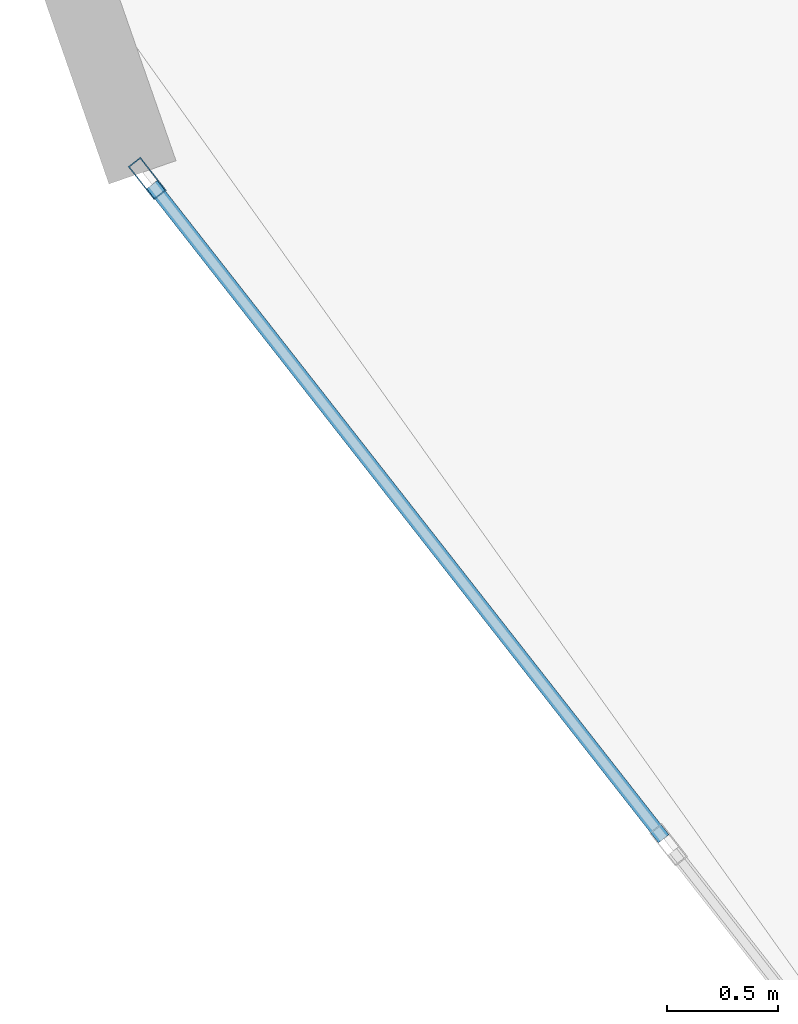
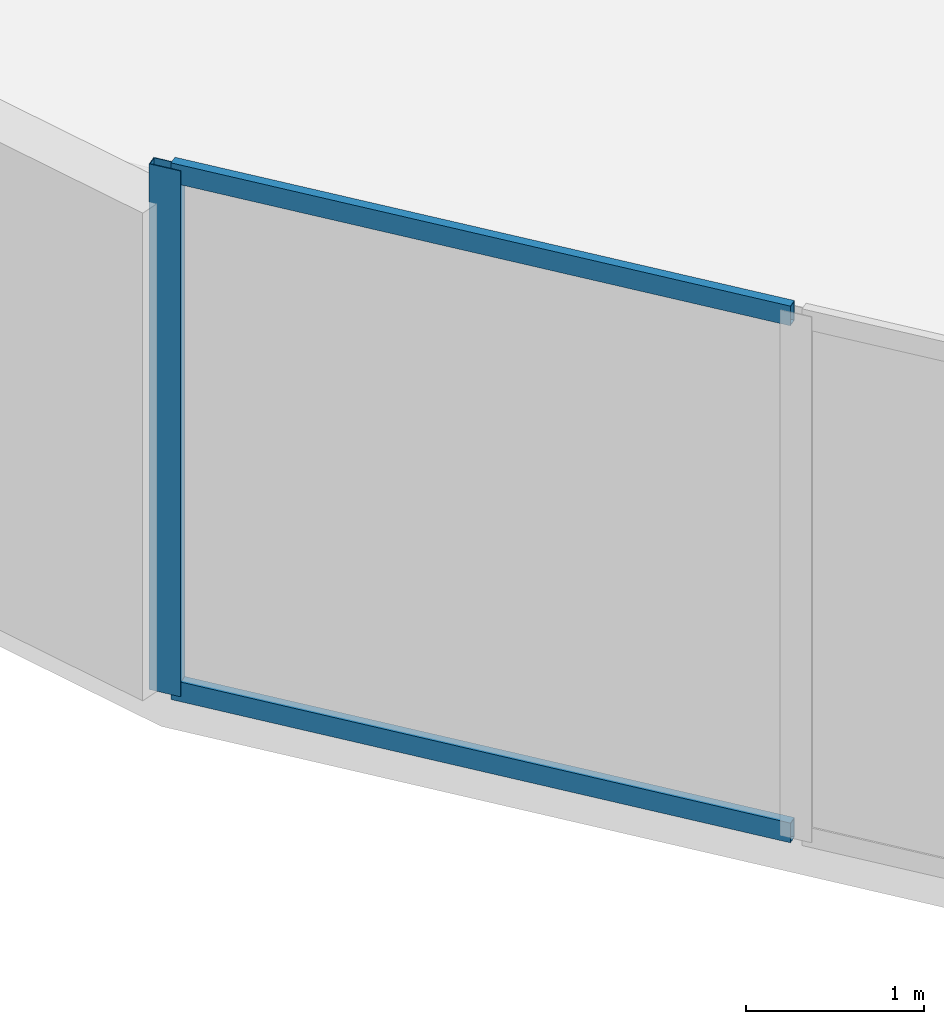
# One storey, part 3 of 22: 3 members, 1 element without a shape of its own.
"""IFC4 building model written with IfcOpenShell, lengths in metres."""

from ifc_helpers import new_model, si_unit, direction, frame, origin, origin_2d, place, context, subcontext, project, spatial, hollow_rectangle, extrude, source, transform, mapped, material, layer, layer_set, material_profile, profile_set, type_object, element, aggregate, save


model = new_model("IFC4")

# Units and contexts
model_context = context("Model", 3, precision=1e-05, world=origin(), true_north=direction((0.0, 1.0)))
body_context = subcontext(model_context, "Body", "Model", "MODEL_VIEW")
ifc_project = project(units=[si_unit("LENGTHUNIT", "METRE"), si_unit("AREAUNIT", "SQUARE_METRE"), si_unit("VOLUMEUNIT", "CUBIC_METRE"), si_unit("PLANEANGLEUNIT", "RADIAN"), si_unit("MASSUNIT", "GRAM", prefix="KILO")], contexts=[model_context])

# Site, building, storey
site_placement = place(None, origin())
site = spatial("IfcSite", under=ifc_project, at=site_placement, CompositionType="ELEMENT")
building_placement = place(site_placement, origin())
building = spatial("IfcBuilding", under=site, at=building_placement, Name="Solvirekh Grand Hotel", CompositionType="ELEMENT")
storey_placement = place(building_placement, frame((0.0, 0.0, 53.60009765625)))
storey = spatial("IfcBuildingStorey", under=building, at=storey_placement, Name="L12", CompositionType="ELEMENT", Elevation=53.60009765625)

# Curtain wall, members
ifc_material = material(Name="Anodized Bronze Aluminium 6063-T6", Category="aluminium")
ifc_layer = layer(ifc_material, 0.18994140625)
ifc_layer_set = layer_set([ifc_layer], Name="Anodized Bronze Aluminium 6063-T6")
curtain_wall_type = type_object("IfcCurtainWallType", Name="CW_Sys2_LowZoneFlushBronzeCW", PredefinedType="NOTDEFINED", material=ifc_layer_set)
curtain_wall_placement = place(storey_placement, origin())
curtain_wall = element("IfcCurtainWall", 1, at=curtain_wall_placement, inside=storey, type_object=curtain_wall_type, Name="L12 unitised bronze-glass curtain wall CW-L12-C13", PredefinedType="NOTDEFINED")
ifc_material_profile_1 = material_profile(ifc_material, hollow_rectangle(XDim=0.06005859375, YDim=0.135009765625, WallThickness=0.00390625, at=origin_2d()), Name="ALU RHS 135X60X4")
ifc_profile_set_1 = profile_set([ifc_material_profile_1], Name="Anodized Bronze Aluminium 6063-T6")
member_type_1 = type_object("IfcMemberType", Name="CWTransom_Sys2", PredefinedType="USERDEFINED", material=ifc_profile_set_1)
shared_shape_1 = source(origin(), body_context, "Body", "SweptSolid", [
    extrude(hollow_rectangle(XDim=0.06005859375, YDim=0.135009765625, WallThickness=0.00390625, at=origin_2d()), origin(), (0.0, 0.0, 1.0), 3.747314453125),
])
member_1_placement = place(storey_placement, frame((-25.27294921875, -7.826171875, 0.02978515625), z_axis=(0.616116767178, -0.787654828718, 0.0), x_axis=(0.787654828718, 0.616116767178, 0.0)))
member_1 = element("IfcMember", 2, at=member_1_placement, type_object=member_type_1, Name="U02 transom 1.1", ObjectType="TRANSOM", PredefinedType="USERDEFINED", context=body_context, shape_type="MappedRepresentation", body=[
    mapped(shared_shape_1, transform((0.0, 0.0, 0.0), x_axis=(1.0, 0.0, 0.0), y_axis=(0.0, 1.0, 0.0), z_axis=(0.0, 0.0, 1.0), scale=1.0)),
])
member_2_placement = place(storey_placement, frame((-25.27294921875, -7.826171875, 3.56982421875), z_axis=(0.616116767178, -0.787654828718, 0.0), x_axis=(0.787654828718, 0.616116767178, 0.0)))
member_2 = element("IfcMember", 3, at=member_2_placement, type_object=member_type_1, Name="U02 transom 1.2", ObjectType="TRANSOM", PredefinedType="USERDEFINED", context=body_context, shape_type="MappedRepresentation", body=[
    mapped(shared_shape_1, transform((0.0, 0.0, 0.0), x_axis=(1.0, 0.0, 0.0), y_axis=(0.0, 1.0, 0.0), z_axis=(0.0, 0.0, 1.0), scale=1.0)),
])
ifc_material_profile_2 = material_profile(ifc_material, hollow_rectangle(XDim=0.070068359375, YDim=0.18994140625, WallThickness=0.0048828125, at=origin_2d()), Name="ALU RHS 190X70X5")
ifc_profile_set_2 = profile_set([ifc_material_profile_2], Name="Anodized Bronze Aluminium 6063-T6")
member_type_2 = type_object("IfcMemberType", Name="CWMullion_Sys2", PredefinedType="MULLION", material=ifc_profile_set_2)
shared_shape_2 = source(origin(), body_context, "Body", "SweptSolid", [
    extrude(hollow_rectangle(XDim=0.070068359375, YDim=0.18994140625, WallThickness=0.0048828125, at=origin_2d()), origin(), (0.0, 0.0, 1.0), 3.599853515625),
])
member_3_placement = place(storey_placement, frame((-25.29443359375, -7.798583984375, 0.0), z_axis=(0.0, 0.0, 1.0), x_axis=(0.78767203558, 0.61609476898, 0.0)))
member_3 = element("IfcMember", 4, at=member_3_placement, type_object=member_type_2, Name="U02 mullion 1", PredefinedType="MULLION", context=body_context, shape_type="MappedRepresentation", body=[
    mapped(shared_shape_2, transform((0.0, 0.0, 0.0), x_axis=(1.0, 0.0, 0.0), y_axis=(0.0, 1.0, 0.0), z_axis=(0.0, 0.0, 1.0), scale=1.0)),
])
aggregate(curtain_wall, [member_3, member_1, member_2])

save(model, "model.ifc")
